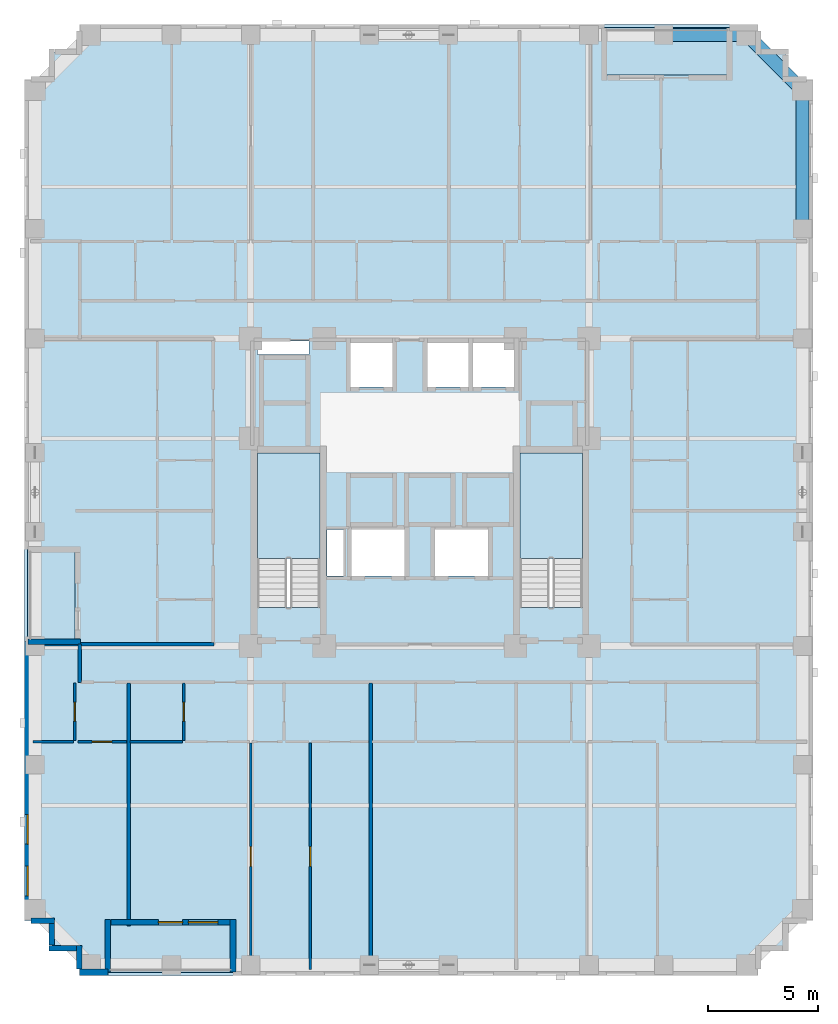
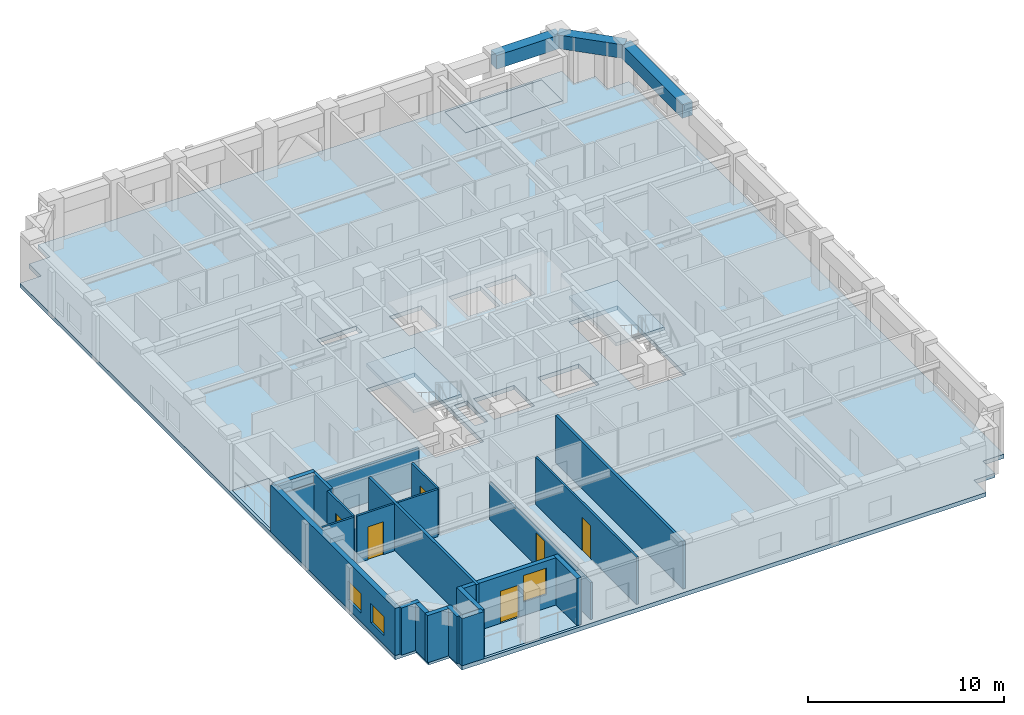
# One storey, part 2 of 12: 21 walls, 6 doors, 6 slabs, 3 beams, 3 windows, 9 openings, 2 elements without a shape of their own.
"""IFC4 building model written with IfcOpenShell, lengths in metres."""

from ifc_helpers import new_model, si_unit, derived_unit, direction, frame, frame_2d, origin, origin_2d, place, context, subcontext, project, spatial, polyline, rectangle, outline, extrude, material, layer, layer_set, material_profile, profile_set, type_object, element, fill, aggregate, save


model = new_model("IFC4")

# Units and contexts
model_context = context("Model", 3, precision=1e-05, world=origin(), true_north=direction((0.0, 1.0)))
body_context = subcontext(model_context, "Body", "Model", "MODEL_VIEW")
ifc_project = project(units=[si_unit("LENGTHUNIT", "METRE"), si_unit("AREAUNIT", "SQUARE_METRE"), si_unit("VOLUMEUNIT", "CUBIC_METRE"), si_unit("PLANEANGLEUNIT", "RADIAN"), si_unit("MASSUNIT", "GRAM", prefix="KILO"), derived_unit("THERMALTRANSMITTANCEUNIT", [(si_unit("MASSUNIT", "GRAM", prefix="KILO"), 1), (si_unit("TIMEUNIT", "SECOND"), -3), (si_unit("THERMODYNAMICTEMPERATUREUNIT", "KELVIN"), -1)])], contexts=[model_context])

# Site, building, storey
site_placement = place(None, origin())
site = spatial("IfcSite", under=ifc_project, at=site_placement, CompositionType="ELEMENT")
building_placement = place(site_placement, origin())
building = spatial("IfcBuilding", under=site, at=building_placement, Name="Korrvale Station Residences", CompositionType="ELEMENT")
storey_placement = place(building_placement, frame((0.0, 0.0, 87.89990234375)))
storey = spatial("IfcBuildingStorey", under=building, at=storey_placement, Name="L24", CompositionType="ELEMENT", Elevation=87.89990234375)

# Beams
ifc_material_1 = material(Name="Concrete C60/75", Category="concrete")
ifc_material_profile = material_profile(ifc_material_1, rectangle(XDim=0.60009765625, YDim=0.85009765625, at=origin_2d()), Name="RCB600x850")
ifc_profile_set = profile_set([ifc_material_profile], Name="Concrete C60/75")
beam_type = type_object("IfcBeamType", Name="BM-SPB-RCB600x850-C6075", PredefinedType="SPANDREL", material=ifc_profile_set)
beam_1_placement = place(storey_placement, frame((36.60009765625, 42.820068359375, 2.51513671875), z_axis=(1.0, 0.0, 0.0), x_axis=(0.0, 1.0, 0.0)))
element("IfcBeam", 1, at=beam_1_placement, inside=storey, type_object=beam_type, Name="L24 North Tube Spandrel 14", PredefinedType="SPANDREL", context=body_context, shape_type="SweptSolid", body=[
    extrude(rectangle(XDim=0.60009765625, YDim=0.85009765625, at=origin_2d()), origin(), (0.0, 0.0, 1.0), 3.7998046875),
])
beam_2_placement = place(storey_placement, frame((42.919921875, 34.0, 2.51513671875), z_axis=(0.0, 1.0, 0.0), x_axis=(-1.0, 0.0, 0.0)))
element("IfcBeam", 2, at=beam_2_placement, inside=storey, type_object=beam_type, Name="L24 East Tube Spandrel 28", PredefinedType="SPANDREL", context=body_context, shape_type="SweptSolid", body=[
    extrude(rectangle(XDim=0.60009765625, YDim=0.85009765625, at=origin_2d()), origin(), (0.0, 0.0, 1.0), 6.300048828125),
])
beam_3_placement = place(storey_placement, frame((40.39990234375, 42.820068359375, 2.51513671875), z_axis=(0.707106781187, -0.707106781187, 0.0), x_axis=(0.707106781187, 0.707106781187, 0.0)))
element("IfcBeam", 3, at=beam_3_placement, inside=storey, type_object=beam_type, Name="L24 Serrated Corner Spandrel 31", PredefinedType="SPANDREL", context=body_context, shape_type="SweptSolid", body=[
    extrude(rectangle(XDim=0.60009765625, YDim=0.85009765625, at=origin_2d()), origin(), (0.0, 0.0, 1.0), 3.56396484375),
])

# Slabs
ifc_material_2 = material(Name="Concrete C50/60", Category="concrete")
ifc_layer_1 = layer(ifc_material_2, 0.219970703125, Name="Concrete C50/60")
ifc_layer_set_1 = layer_set([ifc_layer_1], Name="Concrete C50/60")
slab_type_1 = type_object("IfcSlabType", Name="SLB-BAL-220", PredefinedType="FLOOR", material=ifc_layer_set_1)
slab_1_placement = place(storey_placement, frame((0.0, 0.0, -0.219970703125)))
element("IfcSlab", 4, at=slab_1_placement, inside=storey, type_object=slab_type_1, Name="L24 Recessed Loggia Balcony Slab BAL-L24-S1", PredefinedType="FLOOR", context=body_context, shape_type="SweptSolid", body=[
    extrude(outline(polyline([(11.300048828125, 0.14990234375), (17.0, 0.14990234375), (17.0, 2.300048828125), (11.300048828125, 2.300048828125), (11.300048828125, 0.14990234375)])), origin(), (0.0, 0.0, 1.0), 0.219970703125),
])
slab_2_placement = place(storey_placement, frame((0.0, 0.0, -0.219970703125)))
element("IfcSlab", 5, at=slab_2_placement, inside=storey, type_object=slab_type_1, Name="L24 Recessed Loggia Balcony Slab BAL-L24-N1", PredefinedType="FLOOR", context=body_context, shape_type="SweptSolid", body=[
    extrude(outline(polyline([(33.89990234375, 41.0), (39.60009765625, 41.0), (39.60009765625, 43.14990234375), (33.89990234375, 43.14990234375), (33.89990234375, 41.0)])), origin(), (0.0, 0.0, 1.0), 0.219970703125),
])
slab_3_placement = place(storey_placement, frame((0.0, 0.0, -0.219970703125)))
element("IfcSlab", 6, at=slab_3_placement, inside=storey, type_object=slab_type_1, Name="L24 Recessed Loggia Balcony Slab BAL-L24-W1", PredefinedType="FLOOR", context=body_context, shape_type="SweptSolid", body=[
    extrude(outline(polyline([(7.64990234375, 15.199951171875), (9.800048828125, 15.199951171875), (9.800048828125, 19.39990234375), (7.64990234375, 19.39990234375), (7.64990234375, 15.199951171875)])), origin(), (0.0, 0.0, 1.0), 0.219970703125),
])
ifc_layer_2 = layer(ifc_material_2, 0.260009765625, Name="Concrete C50/60")
ifc_layer_set_2 = layer_set([ifc_layer_2], Name="Concrete C50/60")
slab_type_2 = type_object("IfcSlabType", Name="SLB-FLR-260", PredefinedType="FLOOR", material=ifc_layer_set_2)
slab_4_placement = place(storey_placement, frame((0.0, 0.0, -0.260009765625)))
element("IfcSlab", 7, at=slab_4_placement, inside=storey, type_object=slab_type_2, Name="L24 Suspended Structural Floor Slab", PredefinedType="FLOOR", context=body_context, shape_type="SweptSolid", body=[
    extrude(outline(polyline([(10.0, 0.0), (40.89990234375, 0.0), (40.89990234375, 1.25), (42.14990234375, 1.25), (42.14990234375, 2.5), (43.39990234375, 2.5), (43.39990234375, 40.800048828125), (42.14990234375, 40.800048828125), (42.14990234375, 42.050048828125), (40.89990234375, 42.050048828125), (40.89990234375, 43.300048828125), (10.0, 43.300048828125), (10.0, 42.050048828125), (8.75, 42.050048828125), (8.75, 40.800048828125), (7.5, 40.800048828125), (7.5, 2.5), (8.75, 2.5), (8.75, 1.25), (10.0, 1.25), (10.0, 0.0)]), holes=[polyline([(20.949951171875, 16.751953125), (20.949951171875, 23.800048828125), (18.10009765625, 23.800048828125), (18.10009765625, 16.751953125), (20.949951171875, 16.751953125)]), polyline([(32.89990234375, 16.751953125), (32.89990234375, 23.800048828125), (30.050048828125, 23.800048828125), (30.050048828125, 16.751953125), (32.89990234375, 16.751953125)]), polyline([(22.35009765625, 26.800048828125), (24.25, 26.800048828125), (24.25, 28.800048828125), (22.35009765625, 28.800048828125), (22.35009765625, 26.800048828125)]), polyline([(25.85009765625, 26.800048828125), (27.7099609375, 26.800048828125), (27.7099609375, 28.800048828125), (25.85009765625, 28.800048828125), (25.85009765625, 26.800048828125)]), polyline([(27.929931640625, 26.800048828125), (29.7900390625, 26.800048828125), (29.7900390625, 28.800048828125), (27.929931640625, 28.800048828125), (27.929931640625, 26.800048828125)]), polyline([(22.39990234375, 18.199951171875), (24.800048828125, 18.199951171875), (24.800048828125, 20.300048828125), (22.39990234375, 20.300048828125), (22.39990234375, 18.199951171875)]), polyline([(26.199951171875, 18.199951171875), (28.60009765625, 18.199951171875), (28.60009765625, 20.300048828125), (26.199951171875, 20.300048828125), (26.199951171875, 18.199951171875)]), polyline([(18.10009765625, 28.280029296875), (20.449951171875, 28.280029296875), (20.449951171875, 28.8798828125), (18.10009765625, 28.8798828125), (18.10009765625, 28.280029296875)]), polyline([(21.280029296875, 18.199951171875), (22.02001953125, 18.199951171875), (22.02001953125, 20.300048828125), (21.280029296875, 20.300048828125), (21.280029296875, 18.199951171875)]), polyline([(11.300048828125, 0.14990234375), (17.0, 0.14990234375), (17.0, 2.300048828125), (11.300048828125, 2.300048828125), (11.300048828125, 0.14990234375)]), polyline([(33.89990234375, 41.0), (39.60009765625, 41.0), (39.60009765625, 43.14990234375), (33.89990234375, 43.14990234375), (33.89990234375, 41.0)]), polyline([(7.64990234375, 15.199951171875), (9.800048828125, 15.199951171875), (9.800048828125, 19.39990234375), (7.64990234375, 19.39990234375), (7.64990234375, 15.199951171875)])]), origin(), (0.0, 0.0, 1.0), 0.260009765625),
])

# Stair, slab
stair_type = type_object("IfcStairType", Name="STR-DL-1350-18R-1778", PredefinedType="HALF_TURN_STAIR", material=ifc_material_2)
stair_1_placement = place(storey_placement, origin())
stair_1 = element("IfcStair", 8, at=stair_1_placement, inside=storey, type_object=stair_type, Name="L24 Exit Stair 1", PredefinedType="HALF_TURN_STAIR")
ifc_layer_3 = layer(ifc_material_2, 0.199951171875, Name="Concrete C50/60")
ifc_layer_set_3 = layer_set([ifc_layer_3], Name="Concrete C50/60")
slab_type_3 = type_object("IfcSlabType", Name="SLB-LND-200", PredefinedType="LANDING", material=ifc_layer_set_3)
slab_5_placement = place(storey_placement, frame((0.0, 0.0, 1.400146484375)))
slab_5 = element("IfcSlab", 9, at=slab_5_placement, type_object=slab_type_3, Name="ST-1 landing 1", PredefinedType="LANDING", context=body_context, shape_type="SweptSolid", body=[
    extrude(outline(polyline([(20.949951171875, 18.989990234375), (20.949951171875, 23.800048828125), (18.10009765625, 23.800048828125), (18.10009765625, 18.989990234375), (20.949951171875, 18.989990234375)])), origin(), (0.0, 0.0, 1.0), 0.199951171875),
])
aggregate(stair_1, [slab_5])

stair_2_placement = place(storey_placement, origin())
stair_2 = element("IfcStair", 10, at=stair_2_placement, inside=storey, type_object=stair_type, Name="L24 Exit Stair 2", PredefinedType="HALF_TURN_STAIR")
slab_6_placement = place(storey_placement, frame((0.0, 0.0, 1.400146484375)))
slab_6 = element("IfcSlab", 11, at=slab_6_placement, type_object=slab_type_3, Name="ST-2 landing 1", PredefinedType="LANDING", context=body_context, shape_type="SweptSolid", body=[
    extrude(outline(polyline([(32.89990234375, 18.989990234375), (32.89990234375, 23.800048828125), (30.050048828125, 23.800048828125), (30.050048828125, 18.989990234375), (32.89990234375, 18.989990234375)])), origin(), (0.0, 0.0, 1.0), 0.199951171875),
])
aggregate(stair_2, [slab_6])

# Wall
ifc_material_3 = material(Name="Precast concrete C45/55", Category="concrete")
ifc_layer_4 = layer(ifc_material_3, 0.260009765625, Name="Precast concrete C45/55")
ifc_layer_set_4 = layer_set([ifc_layer_4], Name="Precast concrete C45/55")
wall_type_1 = type_object("IfcWallType", Name="WAL-EXT-LOG260", PredefinedType="SOLIDWALL", material=ifc_layer_set_4)
wall_1_placement = place(storey_placement, frame((17.0, 0.159912109375, 0.0), z_axis=(0.0, 0.0, 1.0), x_axis=(0.0, 1.0, 0.0)))
element("IfcWall", 12, at=wall_1_placement, inside=storey, type_object=wall_type_1, Name="L24 Recessed Loggia Wall BAL-L24-S1-L", PredefinedType="SOLIDWALL", context=body_context, shape_type="SweptSolid", body=[
    extrude(rectangle(XDim=2.400146484375, YDim=0.260009765625, at=frame_2d((1.2001953125, 0.0))), origin(), (0.0, 0.0, 1.0), 2.940185546875),
])

# Wall, openings, door, window
wall_2_placement = place(storey_placement, frame((16.865966796875, 2.429931640625, 0.0), z_axis=(0.0, 0.0, 1.0), x_axis=(-1.0, 0.0, 0.0)))
wall_2 = element("IfcWall", 13, at=wall_2_placement, inside=storey, type_object=wall_type_1, Name="L24 Recessed Loggia Wall BAL-L24-S1-B", PredefinedType="SOLIDWALL", context=body_context, shape_type="SweptSolid", body=[
    extrude(rectangle(XDim=5.431884765625, YDim=0.260009765625, at=frame_2d((2.7158203125, 0.0))), origin(), (0.0, 0.0, 1.0), 2.940185546875),
])
opening_1_placement = place(wall_2_placement, frame((2.166015625, 0.0, 0.0)))
opening_1 = element("IfcOpeningElement", 14, at=opening_1_placement, cuts=wall_2, Name="Opening BD-01", PredefinedType="OPENING", context=body_context, shape_type="SweptSolid", body=[
    extrude(rectangle(XDim=1.10009765625, YDim=2.0, at=frame_2d((0.550048828125, 1.0))), frame((0.0, 0.14013671875, 0.0), z_axis=(0.0, -1.0, 0.0), x_axis=(1.0, 0.0, 0.0)), (0.0, 0.0, 1.0), 0.280029296875),
])
opening_2_placement = place(wall_2_placement, frame((0.555908203125, 0.0, 0.85009765625)))
opening_2 = element("IfcOpeningElement", 15, at=opening_2_placement, cuts=wall_2, Name="Opening W-06", PredefinedType="OPENING", context=body_context, shape_type="SweptSolid", body=[
    extrude(rectangle(XDim=1.35009765625, YDim=1.64990234375, at=frame_2d((0.675048828125, 0.824951171875))), frame((0.0, 0.14013671875, 0.0), z_axis=(0.0, -1.0, 0.0), x_axis=(1.0, 0.0, 0.0)), (0.0, 0.0, 1.0), 0.280029296875),
])
ifc_material_4 = material(Name="Exterior thermally broken aluminium glazed balcony door", Category="aluminium")
door_type_1 = type_object("IfcDoorType", Name="DR-EXT-BAL", OperationType="NOTDEFINED", PredefinedType="DOOR", material=ifc_material_4)
door_1_placement = place(opening_1_placement, origin())
door_1 = element("IfcDoor", 16, at=door_1_placement, inside=storey, type_object=door_type_1, Name="L24 Loggia Balcony Door BAL-L24-S1", OperationType="SINGLE_SWING_LEFT", OverallHeight=2.0, OverallWidth=1.10009765625, PredefinedType="DOOR", context=body_context, shape_type="SweptSolid", body=[
    extrude(rectangle(XDim=1.10009765625, YDim=2.0, at=frame_2d((0.550048828125, 1.0))), frame((0.0, 0.02490234375, 0.0), z_axis=(0.0, -1.0, 0.0), x_axis=(1.0, 0.0, 0.0)), (0.0, 0.0, 1.0), 0.050048828125),
])
fill(opening_1, door_1)
ifc_material_5 = material(Name="Thermally broken aluminium frame with triple low-e glazing", Category="aluminium")
window_type_1 = type_object("IfcWindowType", Name="WIN-W06", PartitioningType="SINGLE_PANEL", PredefinedType="WINDOW", material=ifc_material_5)
window_1_placement = place(opening_2_placement, origin())
window_1 = element("IfcWindow", 17, at=window_1_placement, inside=storey, type_object=window_type_1, Name="L24 Punched Window 03", OverallHeight=1.64990234375, OverallWidth=1.35009765625, PartitioningType="SINGLE_PANEL", PredefinedType="WINDOW", context=body_context, shape_type="SweptSolid", body=[
    extrude(rectangle(XDim=1.35009765625, YDim=1.64990234375, at=frame_2d((0.675048828125, 0.824951171875))), frame((0.0, 0.030029296875, 0.0), z_axis=(0.0, -1.0, 0.0), x_axis=(1.0, 0.0, 0.0)), (0.0, 0.0, 1.0), 0.06005859375),
])
fill(opening_2, window_1)

# Walls
for number, where, z_axis, x_axis, name in (
    (18, (11.300048828125, 2.56005859375, 0.0), (0.0, 0.0, 1.0), (0.0, -1.0, 0.0), "L24 Recessed Loggia Wall BAL-L24-S1-R"),
    (19, (7.659912109375, 15.199951171875, 0.0), (0.0, 0.0, 1.0), (1.0, 0.0, 0.0), "L24 Recessed Loggia Wall BAL-L24-W1-L"),
):
    element("IfcWall", number, at=place(storey_placement, frame(where, z_axis=z_axis, x_axis=x_axis)), inside=storey, type_object=wall_type_1, Name=name, PredefinedType="SOLIDWALL", context=body_context, shape_type="SweptSolid", body=[
        extrude(rectangle(XDim=2.400146484375, YDim=0.260009765625, at=frame_2d((1.2001953125, 0.0))), origin(), (0.0, 0.0, 1.0), 2.940185546875),
    ])
wall_3_placement = place(storey_placement, frame((10.0, 0.302001953125, 0.0), z_axis=(0.0, 0.0, 1.0), x_axis=(0.0, 1.0, 0.0)))
element("IfcWall", 20, at=wall_3_placement, inside=storey, type_object=wall_type_1, Name="L24 Serrated Corner Precast Step SW-1", PredefinedType="SOLIDWALL", context=body_context, shape_type="SweptSolid", body=[
    extrude(rectangle(XDim=1.077880859375, YDim=0.260009765625, at=frame_2d((0.5390625, 0.0))), origin(), (0.0, 0.0, 1.0), 2.940185546875),
])
wall_4_placement = place(storey_placement, frame((9.867919921875, 1.25, 0.0), z_axis=(0.0, 0.0, 1.0), x_axis=(-1.0, 0.0, 0.0)))
element("IfcWall", 21, at=wall_4_placement, inside=storey, type_object=wall_type_1, Name="L24 Serrated Corner Precast Step SW-2", PredefinedType="SOLIDWALL", context=body_context, shape_type="SweptSolid", body=[
    extrude(rectangle(XDim=1.247802734375, YDim=0.260009765625, at=frame_2d((0.6240234375, 0.0))), origin(), (0.0, 0.0, 1.0), 2.940185546875),
])
wall_5_placement = place(storey_placement, frame((8.75, 1.382080078125, 0.0), z_axis=(0.0, 0.0, 1.0), x_axis=(0.0, 1.0, 0.0)))
element("IfcWall", 22, at=wall_5_placement, inside=storey, type_object=wall_type_1, Name="L24 Serrated Corner Precast Step SW-3", PredefinedType="SOLIDWALL", context=body_context, shape_type="SweptSolid", body=[
    extrude(rectangle(XDim=0.98583984375, YDim=0.260009765625, at=frame_2d((0.492919921875, 0.0))), origin(), (0.0, 0.0, 1.0), 2.940185546875),
])
wall_6_placement = place(storey_placement, frame((8.8798828125, 2.5, 0.0), z_axis=(0.0, 0.0, 1.0), x_axis=(-1.0, 0.0, 0.0)))
element("IfcWall", 23, at=wall_6_placement, inside=storey, type_object=wall_type_1, Name="L24 Serrated Corner Precast Step SW-4", PredefinedType="SOLIDWALL", context=body_context, shape_type="SweptSolid", body=[
    extrude(rectangle(XDim=1.077880859375, YDim=0.260009765625, at=frame_2d((0.5390625, 0.0))), origin(), (0.0, 0.0, 1.0), 2.940185546875),
])
ifc_layer_5 = layer(ifc_material_3, 0.300048828125, Name="Precast concrete C45/55")
ifc_layer_set_5 = layer_set([ifc_layer_5], Name="Precast concrete C45/55")
wall_type_2 = type_object("IfcWallType", Name="WAL-EXT-PC300", PredefinedType="SOLIDWALL", material=ifc_layer_set_5)
wall_7_placement = place(storey_placement, frame((11.300048828125, 0.14990234375, 0.0), z_axis=(0.0, 0.0, 1.0), x_axis=(-1.0, 0.0, 0.0)))
element("IfcWall", 24, at=wall_7_placement, inside=storey, type_object=wall_type_2, Name="L24 South Exterior Precast Wall 2", PredefinedType="SOLIDWALL", context=body_context, shape_type="SweptSolid", body=[
    extrude(rectangle(XDim=1.300048828125, YDim=0.300048828125, at=frame_2d((0.64990234375, 0.0))), origin(), (0.0, 0.0, 1.0), 2.940185546875),
])

# Wall, openings, windows
wall_8_placement = place(storey_placement, frame((7.64990234375, 2.5, 0.0), z_axis=(0.0, 0.0, 1.0), x_axis=(0.0, 1.0, 0.0)))
wall_8 = element("IfcWall", 25, at=wall_8_placement, inside=storey, type_object=wall_type_2, Name="L24 West Exterior Precast Wall 1", PredefinedType="SOLIDWALL", context=body_context, shape_type="SweptSolid", body=[
    extrude(rectangle(XDim=12.699951171875, YDim=0.300048828125, at=frame_2d((6.35009765625, 0.0))), origin(), (0.0, 0.0, 1.0), 2.940185546875),
])
opening_3_placement = place(wall_8_placement, frame((3.48193359375, 0.0, 0.550048828125)))
opening_3 = element("IfcOpeningElement", 26, at=opening_3_placement, cuts=wall_8, Name="Opening W-10", PredefinedType="OPENING", context=body_context, shape_type="SweptSolid", body=[
    extrude(rectangle(XDim=1.35009765625, YDim=1.199951171875, at=frame_2d((0.675048828125, 0.60009765625))), frame((0.0, 0.16015625, 0.0), z_axis=(0.0, -1.0, 0.0), x_axis=(1.0, 0.0, 0.0)), (0.0, 0.0, 1.0), 0.320068359375),
])
opening_4_placement = place(wall_8_placement, frame((1.135009765625, 0.0, 0.550048828125)))
opening_4 = element("IfcOpeningElement", 27, at=opening_4_placement, cuts=wall_8, Name="Opening W-10", PredefinedType="OPENING", context=body_context, shape_type="SweptSolid", body=[
    extrude(rectangle(XDim=1.35009765625, YDim=1.199951171875, at=frame_2d((0.675048828125, 0.60009765625))), frame((0.0, 0.16015625, 0.0), z_axis=(0.0, -1.0, 0.0), x_axis=(1.0, 0.0, 0.0)), (0.0, 0.0, 1.0), 0.320068359375),
])
window_type_2 = type_object("IfcWindowType", Name="WIN-W10", PartitioningType="SINGLE_PANEL", PredefinedType="WINDOW", material=ifc_material_5)
window_2_placement = place(opening_3_placement, origin())
window_2 = element("IfcWindow", 28, at=window_2_placement, inside=storey, type_object=window_type_2, Name="L24 Punched Window 01", OverallHeight=1.199951171875, OverallWidth=1.35009765625, PartitioningType="SINGLE_PANEL", PredefinedType="WINDOW", context=body_context, shape_type="SweptSolid", body=[
    extrude(rectangle(XDim=1.35009765625, YDim=1.199951171875, at=frame_2d((0.675048828125, 0.60009765625))), frame((0.0, 0.030029296875, 0.0), z_axis=(0.0, -1.0, 0.0), x_axis=(1.0, 0.0, 0.0)), (0.0, 0.0, 1.0), 0.06005859375),
])
fill(opening_3, window_2)
window_3_placement = place(opening_4_placement, origin())
window_3 = element("IfcWindow", 29, at=window_3_placement, inside=storey, type_object=window_type_2, Name="L24 Punched Window 02", OverallHeight=1.199951171875, OverallWidth=1.35009765625, PartitioningType="SINGLE_PANEL", PredefinedType="WINDOW", context=body_context, shape_type="SweptSolid", body=[
    extrude(rectangle(XDim=1.35009765625, YDim=1.199951171875, at=frame_2d((0.675048828125, 0.60009765625))), frame((0.0, 0.030029296875, 0.0), z_axis=(0.0, -1.0, 0.0), x_axis=(1.0, 0.0, 0.0)), (0.0, 0.0, 1.0), 0.06005859375),
])
fill(opening_4, window_3)

# Wall, opening, door
ifc_material_6 = material(Name="Acoustic steel-stud gypsum board partition", Category="steel")
ifc_layer_6 = layer(ifc_material_6, 0.1201171875, Name="Acoustic steel-stud gypsum board partition")
ifc_layer_set_6 = layer_set([ifc_layer_6], Name="Acoustic steel-stud gypsum board partition")
wall_type_3 = type_object("IfcWallType", Name="WAL-PART-125", PredefinedType="PARTITIONING", material=ifc_layer_set_6)
wall_9_placement = place(storey_placement, frame((9.800048828125, 10.7099609375, 0.0), z_axis=(0.0, 0.0, 1.0), x_axis=(0.0, 1.0, 0.0)))
wall_9 = element("IfcWall", 30, at=wall_9_placement, inside=storey, type_object=wall_type_3, Name="L24 Suite Partition U01-V01", PredefinedType="PARTITIONING", context=body_context, shape_type="SweptSolid", body=[
    extrude(rectangle(XDim=2.60009765625, YDim=0.1201171875, at=frame_2d((1.300048828125, 0.0))), origin(), (0.0, 0.0, 1.0), 2.940185546875),
])
opening_5_placement = place(wall_9_placement, frame((0.8701171875, 0.0, 0.0)))
opening_5 = element("IfcOpeningElement", 31, at=opening_5_placement, cuts=wall_9, Name="Opening DB-860", PredefinedType="OPENING", context=body_context, shape_type="SweptSolid", body=[
    extrude(rectangle(XDim=0.860107421875, YDim=2.050048828125, at=frame_2d((0.43017578125, 1.02490234375))), frame((0.0, 0.070068359375, 0.0), z_axis=(0.0, -1.0, 0.0), x_axis=(1.0, 0.0, 0.0)), (0.0, 0.0, 1.0), 0.14013671875),
])
ifc_material_7 = material(Name="Moisture-resistant solid-core bathroom door", Category="timber")
door_type_2 = type_object("IfcDoorType", Name="DR-BATH-860", OperationType="NOTDEFINED", PredefinedType="DOOR", material=ifc_material_7)
door_2_placement = place(opening_5_placement, origin())
door_2 = element("IfcDoor", 32, at=door_2_placement, inside=storey, type_object=door_type_2, Name="L24 Studio Apartment L24-U01 Bathroom Door", OperationType="SINGLE_SWING_RIGHT", OverallHeight=2.050048828125, OverallWidth=0.860107421875, PredefinedType="DOOR", context=body_context, shape_type="SweptSolid", body=[
    extrude(rectangle(XDim=0.860107421875, YDim=2.050048828125, at=frame_2d((0.43017578125, 1.02490234375))), frame((0.0, 0.02490234375, 0.0), z_axis=(0.0, -1.0, 0.0), x_axis=(1.0, 0.0, 0.0)), (0.0, 0.0, 1.0), 0.050048828125),
])
fill(opening_5, door_2)

# Wall
wall_10_placement = place(storey_placement, frame((7.889892578125, 10.64990234375, 0.0), z_axis=(0.0, 0.0, 1.0), x_axis=(1.0, 0.0, 0.0)))
element("IfcWall", 33, at=wall_10_placement, inside=storey, type_object=wall_type_3, Name="L24 Suite Partition U01-H02", PredefinedType="PARTITIONING", context=body_context, shape_type="SweptSolid", body=[
    extrude(rectangle(XDim=1.85009765625, YDim=0.1201171875, at=frame_2d((0.925048828125, 0.0))), origin(), (0.0, 0.0, 1.0), 2.940185546875),
])

# Wall, opening, door
wall_11_placement = place(storey_placement, frame((9.929931640625, 10.64990234375, 0.0), z_axis=(0.0, 0.0, 1.0), x_axis=(1.0, 0.0, 0.0)))
wall_11 = element("IfcWall", 34, at=wall_11_placement, inside=storey, type_object=wall_type_3, Name="L24 Suite Partition U01-H12", PredefinedType="PARTITIONING", context=body_context, shape_type="SweptSolid", body=[
    extrude(rectangle(XDim=2.2099609375, YDim=0.1201171875, at=frame_2d((1.10498046875, 0.0))), origin(), (0.0, 0.0, 1.0), 2.940185546875),
])
opening_6_placement = place(wall_11_placement, frame((0.655029296875, 0.0, 0.0)))
opening_6 = element("IfcOpeningElement", 35, at=opening_6_placement, cuts=wall_11, Name="Opening DI-900", PredefinedType="OPENING", context=body_context, shape_type="SweptSolid", body=[
    extrude(rectangle(XDim=0.89990234375, YDim=2.050048828125, at=frame_2d((0.449951171875, 1.02490234375))), frame((0.0, 0.070068359375, 0.0), z_axis=(0.0, -1.0, 0.0), x_axis=(1.0, 0.0, 0.0)), (0.0, 0.0, 1.0), 0.14013671875),
])
ifc_material_8 = material(Name="Painted solid-core timber interior room door", Category="wood")
door_type_3 = type_object("IfcDoorType", Name="DR-INT-900", OperationType="NOTDEFINED", PredefinedType="DOOR", material=ifc_material_8)
door_3_placement = place(opening_6_placement, origin())
door_3 = element("IfcDoor", 36, at=door_3_placement, inside=storey, type_object=door_type_3, Name="L24 Studio Apartment L24-U01 Kitchen Door", OperationType="SINGLE_SWING_LEFT", OverallHeight=2.050048828125, OverallWidth=0.89990234375, PredefinedType="DOOR", context=body_context, shape_type="SweptSolid", body=[
    extrude(rectangle(XDim=0.89990234375, YDim=2.050048828125, at=frame_2d((0.449951171875, 1.02490234375))), frame((0.0, 0.02490234375, 0.0), z_axis=(0.0, -1.0, 0.0), x_axis=(1.0, 0.0, 0.0)), (0.0, 0.0, 1.0), 0.050048828125),
])
fill(opening_6, door_3)

wall_12_placement = place(storey_placement, frame((14.760009765625, 10.7099609375, 0.0), z_axis=(0.0, 0.0, 1.0), x_axis=(0.0, 1.0, 0.0)))
wall_12 = element("IfcWall", 37, at=wall_12_placement, inside=storey, type_object=wall_type_3, Name="L24 Suite Partition U02-V01", PredefinedType="PARTITIONING", context=body_context, shape_type="SweptSolid", body=[
    extrude(rectangle(XDim=2.60009765625, YDim=0.1201171875, at=frame_2d((1.300048828125, 0.0))), origin(), (0.0, 0.0, 1.0), 2.940185546875),
])
opening_7_placement = place(wall_12_placement, frame((0.8701171875, 0.0, 0.0)))
opening_7 = element("IfcOpeningElement", 38, at=opening_7_placement, cuts=wall_12, Name="Opening DB-860", PredefinedType="OPENING", context=body_context, shape_type="SweptSolid", body=[
    extrude(rectangle(XDim=0.860107421875, YDim=2.050048828125, at=frame_2d((0.43017578125, 1.02490234375))), frame((0.0, 0.070068359375, 0.0), z_axis=(0.0, -1.0, 0.0), x_axis=(1.0, 0.0, 0.0)), (0.0, 0.0, 1.0), 0.14013671875),
])
door_4_placement = place(opening_7_placement, origin())
door_4 = element("IfcDoor", 39, at=door_4_placement, inside=storey, type_object=door_type_2, Name="L24 Apartment 2BR L24-U02 Bathroom Door", OperationType="SINGLE_SWING_RIGHT", OverallHeight=2.050048828125, OverallWidth=0.860107421875, PredefinedType="DOOR", context=body_context, shape_type="SweptSolid", body=[
    extrude(rectangle(XDim=0.860107421875, YDim=2.050048828125, at=frame_2d((0.43017578125, 1.02490234375))), frame((0.0, 0.02490234375, 0.0), z_axis=(0.0, -1.0, 0.0), x_axis=(1.0, 0.0, 0.0)), (0.0, 0.0, 1.0), 0.050048828125),
])
fill(opening_7, door_4)

# Wall
wall_13_placement = place(storey_placement, frame((12.300048828125, 10.64990234375, 0.0), z_axis=(0.0, 0.0, 1.0), x_axis=(1.0, 0.0, 0.0)))
element("IfcWall", 40, at=wall_13_placement, inside=storey, type_object=wall_type_3, Name="L24 Suite Partition U02-H03", PredefinedType="PARTITIONING", context=body_context, shape_type="SweptSolid", body=[
    extrude(rectangle(XDim=2.39990234375, YDim=0.1201171875, at=frame_2d((1.199951171875, 0.0))), origin(), (0.0, 0.0, 1.0), 2.940185546875),
])

# Wall, opening, door
wall_14_placement = place(storey_placement, frame((17.800048828125, 0.280029296875, 0.0), z_axis=(0.0, 0.0, 1.0), x_axis=(0.0, 1.0, 0.0)))
wall_14 = element("IfcWall", 41, at=wall_14_placement, inside=storey, type_object=wall_type_3, Name="L24 Suite Partition U02-V34", PredefinedType="PARTITIONING", context=body_context, shape_type="SweptSolid", body=[
    extrude(rectangle(XDim=10.31005859375, YDim=0.1201171875, at=frame_2d((5.155029296875, 0.0))), origin(), (0.0, 0.0, 1.0), 2.30908203125),
])
opening_8_placement = place(wall_14_placement, frame((4.68994140625, 0.0, 0.0)))
opening_8 = element("IfcOpeningElement", 42, at=opening_8_placement, cuts=wall_14, Name="Opening DI-900", PredefinedType="OPENING", context=body_context, shape_type="SweptSolid", body=[
    extrude(rectangle(XDim=0.89990234375, YDim=2.050048828125, at=frame_2d((0.449951171875, 1.02490234375))), frame((0.0, 0.070068359375, 0.0), z_axis=(0.0, -1.0, 0.0), x_axis=(1.0, 0.0, 0.0)), (0.0, 0.0, 1.0), 0.14013671875),
])
door_5_placement = place(opening_8_placement, origin())
door_5 = element("IfcDoor", 43, at=door_5_placement, inside=storey, type_object=door_type_3, Name="L24 Apartment 2BR L24-U02 Living and Dining Room Door", OperationType="SINGLE_SWING_LEFT", OverallHeight=2.050048828125, OverallWidth=0.89990234375, PredefinedType="DOOR", context=body_context, shape_type="SweptSolid", body=[
    extrude(rectangle(XDim=0.89990234375, YDim=2.050048828125, at=frame_2d((0.449951171875, 1.02490234375))), frame((0.0, 0.02490234375, 0.0), z_axis=(0.0, -1.0, 0.0), x_axis=(1.0, 0.0, 0.0)), (0.0, 0.0, 1.0), 0.050048828125),
])
fill(opening_8, door_5)

wall_15_placement = place(storey_placement, frame((20.512939453125, 0.280029296875, 0.0), z_axis=(0.0, 0.0, 1.0), x_axis=(0.0, 1.0, 0.0)))
wall_15 = element("IfcWall", 44, at=wall_15_placement, inside=storey, type_object=wall_type_3, Name="L24 Suite Partition U02-V45", PredefinedType="PARTITIONING", context=body_context, shape_type="SweptSolid", body=[
    extrude(rectangle(XDim=10.31005859375, YDim=0.1201171875, at=frame_2d((5.155029296875, 0.0))), origin(), (0.0, 0.0, 1.0), 2.940185546875),
])
opening_9_placement = place(wall_15_placement, frame((4.68994140625, 0.0, 0.0)))
opening_9 = element("IfcOpeningElement", 45, at=opening_9_placement, cuts=wall_15, Name="Opening DI-900", PredefinedType="OPENING", context=body_context, shape_type="SweptSolid", body=[
    extrude(rectangle(XDim=0.89990234375, YDim=2.050048828125, at=frame_2d((0.449951171875, 1.02490234375))), frame((0.0, 0.070068359375, 0.0), z_axis=(0.0, -1.0, 0.0), x_axis=(1.0, 0.0, 0.0)), (0.0, 0.0, 1.0), 0.14013671875),
])
door_6_placement = place(opening_9_placement, origin())
door_6 = element("IfcDoor", 46, at=door_6_placement, inside=storey, type_object=door_type_3, Name="L24 Apartment 2BR L24-U02 Bedroom 1 Door", OperationType="SINGLE_SWING_RIGHT", OverallHeight=2.050048828125, OverallWidth=0.89990234375, PredefinedType="DOOR", context=body_context, shape_type="SweptSolid", body=[
    extrude(rectangle(XDim=0.89990234375, YDim=2.050048828125, at=frame_2d((0.449951171875, 1.02490234375))), frame((0.0, 0.02490234375, 0.0), z_axis=(0.0, -1.0, 0.0), x_axis=(1.0, 0.0, 0.0)), (0.0, 0.0, 1.0), 0.050048828125),
])
fill(opening_9, door_6)

# Walls
ifc_material_9 = material(Name="Fire-rated twin-stud gypsum and mineral wool shaftwall assembly", Category="gypsum")
ifc_layer_7 = layer(ifc_material_9, 0.159912109375, Name="Fire-rated twin-stud gypsum and mineral wool shaftwall assembly")
ifc_layer_set_7 = layer_set([ifc_layer_7], Name="Fire-rated twin-stud gypsum and mineral wool shaftwall assembly")
wall_type_4 = type_object("IfcWallType", Name="WAL-PART-200", PredefinedType="PARTITIONING", material=ifc_layer_set_7)
wall_16_placement = place(storey_placement, frame((10.02001953125, 13.35009765625, 0.0), z_axis=(0.0, 0.0, 1.0), x_axis=(0.0, 1.0, 0.0)))
element("IfcWall", 47, at=wall_16_placement, inside=storey, type_object=wall_type_4, Name="L24 Corridor South West Cap", PredefinedType="PARTITIONING", context=body_context, shape_type="SweptSolid", body=[
    extrude(rectangle(XDim=1.739990234375, YDim=0.159912109375, at=frame_2d((0.8701171875, 0.0))), origin(), (0.0, 0.0, 1.0), 2.940185546875),
])
wall_17_placement = place(storey_placement, frame((7.780029296875, 15.090087890625, 0.0), z_axis=(0.0, 0.0, 1.0), x_axis=(1.0, 0.0, 0.0)))
element("IfcWall", 48, at=wall_17_placement, inside=storey, type_object=wall_type_4, Name="L24 West Wing South Corridor Wall", PredefinedType="PARTITIONING", context=body_context, shape_type="SweptSolid", body=[
    extrude(rectangle(XDim=8.35986328125, YDim=0.159912109375, at=frame_2d((4.179931640625, 0.0))), origin(), (0.0, 0.0, 1.0), 2.30908203125),
])
wall_18_placement = place(storey_placement, frame((12.239990234375, 2.260009765625, 0.0), z_axis=(0.0, 0.0, 1.0), x_axis=(0.0, 1.0, 0.0)))
element("IfcWall", 49, at=wall_18_placement, inside=storey, type_object=wall_type_4, Name="L24 Demising Wall U02-W", PredefinedType="PARTITIONING", context=body_context, shape_type="SweptSolid", body=[
    extrude(rectangle(XDim=11.050048828125, YDim=0.159912109375, at=frame_2d((5.52490234375, 0.0))), origin(), (0.0, 0.0, 1.0), 2.940185546875),
])
wall_19_placement = place(storey_placement, frame((23.264892578125, 0.280029296875, 0.0), z_axis=(0.0, 0.0, 1.0), x_axis=(0.0, 1.0, 0.0)))
element("IfcWall", 50, at=wall_19_placement, inside=storey, type_object=wall_type_4, Name="L24 Demising Wall U03-W", PredefinedType="PARTITIONING", context=body_context, shape_type="SweptSolid", body=[
    extrude(rectangle(XDim=13.030029296875, YDim=0.159912109375, at=frame_2d((6.51513671875, 0.0))), origin(), (0.0, 0.0, 1.0), 2.940185546875),
])

save(model, "model.ifc")
